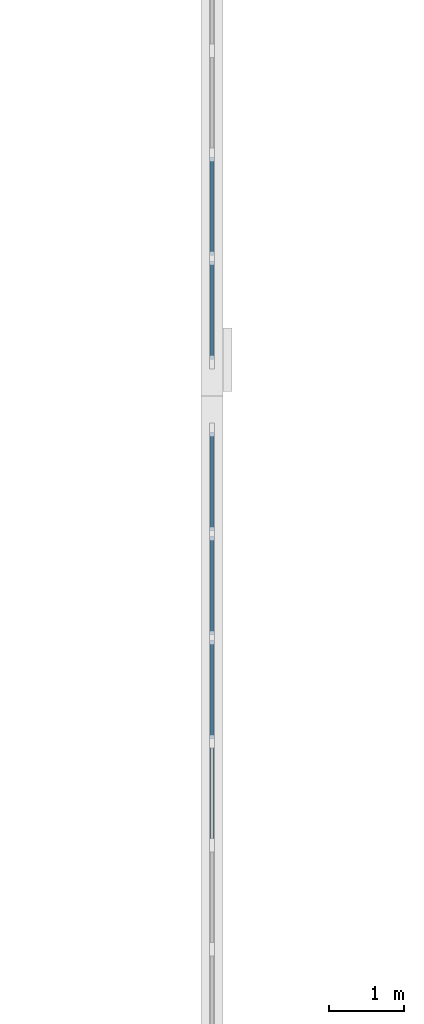
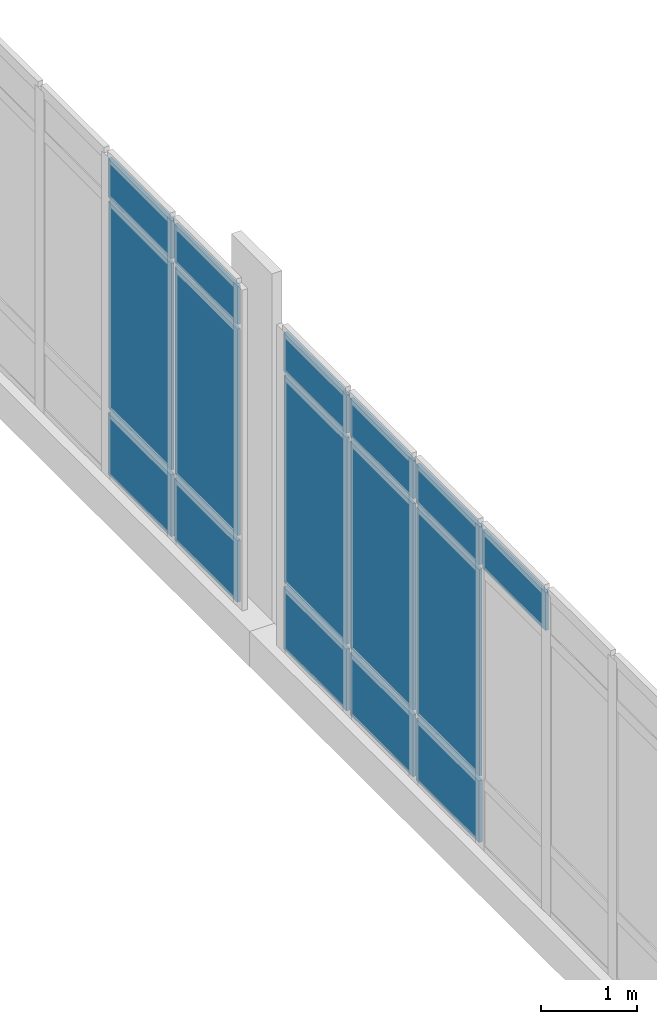
# One storey, part 68 of 110: 16 plates, 2 elements without a shape of their own.
"""IFC4 building model written with IfcOpenShell, lengths in metres."""

from ifc_helpers import new_model, si_unit, direction, frame, origin, origin_2d, place, context, subcontext, project, spatial, rectangle, extrude, material, layer, layer_set, type_object, element, aggregate, save


model = new_model("IFC4")

# Units and contexts
model_context = context("Model", 3, precision=1e-05, world=origin(), true_north=direction((0.0, 1.0)))
body_context = subcontext(model_context, "Body", "Model", "MODEL_VIEW")
ifc_project = project(units=[si_unit("LENGTHUNIT", "METRE"), si_unit("AREAUNIT", "SQUARE_METRE"), si_unit("VOLUMEUNIT", "CUBIC_METRE"), si_unit("PLANEANGLEUNIT", "RADIAN"), si_unit("MASSUNIT", "GRAM", prefix="KILO")], contexts=[model_context])

# Site, building, storey
site_placement = place(None, origin())
site = spatial("IfcSite", under=ifc_project, at=site_placement, CompositionType="ELEMENT")
building_placement = place(site_placement, origin())
building = spatial("IfcBuilding", under=site, at=building_placement, Name="Zacnel Wholesale Market", CompositionType="ELEMENT")
storey_placement = place(building_placement, frame((0.0, 0.0, 6.300048828125)))
storey = spatial("IfcBuildingStorey", under=building, at=storey_placement, Name="L02", CompositionType="ELEMENT", Elevation=6.300048828125)

# Curtain wall, plates
ifc_material_1 = material(Name="Anodised aluminium", Category="aluminium")
ifc_layer_1 = layer(ifc_material_1, 0.159912109375)
ifc_layer_set_1 = layer_set([ifc_layer_1], Name="Anodised aluminium")
curtain_wall_type = type_object("IfcCurtainWallType", Name="CW-NAVE-4200", PredefinedType="NOTDEFINED", material=ifc_layer_set_1)
curtain_wall_1_placement = place(storey_placement, origin())
curtain_wall_1 = element("IfcCurtainWall", 1, at=curtain_wall_1_placement, inside=storey, type_object=curtain_wall_type, Name="Curtain wall ENV-R2-CW-L02-033", PredefinedType="NOTDEFINED")
ifc_material_2 = material(Name="Laminated hurricane-impact low-E insulated glass", Category="glass")
ifc_layer_2 = layer(ifc_material_2, 0.031982421875)
ifc_layer_set_2 = layer_set([ifc_layer_2], Name="Laminated hurricane-impact low-E insulated glass")
plate_type_1 = type_object("IfcPlateType", Name="CWP-PNL-02", PredefinedType="CURTAIN_PANEL", material=ifc_layer_set_2)
plate_1_placement = place(storey_placement, frame((189.0, 116.081298828125, 1.330078125), z_axis=(0.0, 0.0, 1.0), x_axis=(0.0, 1.0, 0.0)))
plate_1 = element("IfcPlate", 2, at=plate_1_placement, type_object=plate_type_1, Name="ENV-R2-CW-L02-033 panel 6-2", PredefinedType="CURTAIN_PANEL", context=body_context, shape_type="SweptSolid", body=[
    extrude(rectangle(XDim=1.3173828125, YDim=0.031982421875, at=origin_2d()), origin(), (0.0, 0.0, 1.0), 2.639892578125),
])
plate_2_placement = place(storey_placement, frame((189.0, 117.46875, 1.330078125), z_axis=(0.0, 0.0, 1.0), x_axis=(0.0, 1.0, 0.0)))
plate_2 = element("IfcPlate", 3, at=plate_2_placement, type_object=plate_type_1, Name="ENV-R2-CW-L02-033 panel 7-2", PredefinedType="CURTAIN_PANEL", context=body_context, shape_type="SweptSolid", body=[
    extrude(rectangle(XDim=1.3173828125, YDim=0.031982421875, at=origin_2d()), origin(), (0.0, 0.0, 1.0), 2.639892578125),
])
plate_3_placement = place(storey_placement, frame((189.0, 118.856201171875, 1.330078125), z_axis=(0.0, 0.0, 1.0), x_axis=(0.0, 1.0, 0.0)))
plate_3 = element("IfcPlate", 4, at=plate_3_placement, type_object=plate_type_1, Name="ENV-R2-CW-L02-033 panel 8-2", PredefinedType="CURTAIN_PANEL", context=body_context, shape_type="SweptSolid", body=[
    extrude(rectangle(XDim=1.3173828125, YDim=0.031982421875, at=origin_2d()), origin(), (0.0, 0.0, 1.0), 2.639892578125),
])

curtain_wall_2_placement = place(storey_placement, origin())
curtain_wall_2 = element("IfcCurtainWall", 5, at=curtain_wall_2_placement, inside=storey, type_object=curtain_wall_type, Name="Curtain wall ENV-R2-CW-L02-034", PredefinedType="NOTDEFINED")
plate_4_placement = place(storey_placement, frame((189.0, 121.142578125, 1.330078125), z_axis=(0.0, 0.0, 1.0), x_axis=(0.0, 1.0, 0.0)))
plate_4 = element("IfcPlate", 6, at=plate_4_placement, type_object=plate_type_1, Name="ENV-R2-CW-L02-034 panel 1-2", PredefinedType="CURTAIN_PANEL", context=body_context, shape_type="SweptSolid", body=[
    extrude(rectangle(XDim=1.31494140625, YDim=0.031982421875, at=origin_2d()), origin(), (0.0, 0.0, 1.0), 2.639892578125),
])
plate_5_placement = place(storey_placement, frame((189.0, 122.527587890625, 1.330078125), z_axis=(0.0, 0.0, 1.0), x_axis=(0.0, 1.0, 0.0)))
plate_5 = element("IfcPlate", 7, at=plate_5_placement, type_object=plate_type_1, Name="ENV-R2-CW-L02-034 panel 2-2", PredefinedType="CURTAIN_PANEL", context=body_context, shape_type="SweptSolid", body=[
    extrude(rectangle(XDim=1.31494140625, YDim=0.031982421875, at=origin_2d()), origin(), (0.0, 0.0, 1.0), 2.639892578125),
])

# Plate
ifc_material_3 = material(Name="Anodised aluminium", Category="aluminium")
ifc_layer_3 = layer(ifc_material_3, 0.0400390625)
ifc_layer_set_3 = layer_set([ifc_layer_3], Name="Anodised aluminium")
plate_type_2 = type_object("IfcPlateType", Name="CWP-PNL-05", PredefinedType="CURTAIN_PANEL", material=ifc_layer_set_3)
plate_6_placement = place(storey_placement, frame((189.0, 114.693603515625, 4.02978515625), z_axis=(0.0, 0.0, 1.0), x_axis=(0.0, 1.0, 0.0)))
plate_6 = element("IfcPlate", 8, at=plate_6_placement, type_object=plate_type_2, Name="ENV-R2-CW-L02-033 panel 5-3", PredefinedType="CURTAIN_PANEL", context=body_context, shape_type="SweptSolid", body=[
    extrude(rectangle(XDim=1.3173828125, YDim=0.0400390625, at=origin_2d()), origin(), (0.0, 0.0, 1.0), 0.489990234375),
])

plate_7_placement = place(storey_placement, frame((189.0, 117.46875, 0.47998046875), z_axis=(0.0, 0.0, 1.0), x_axis=(0.0, 1.0, 0.0)))
plate_7 = element("IfcPlate", 9, at=plate_7_placement, type_object=plate_type_2, Name="ENV-R2-CW-L02-033 panel 7-1", PredefinedType="CURTAIN_PANEL", context=body_context, shape_type="SweptSolid", body=[
    extrude(rectangle(XDim=1.3173828125, YDim=0.0400390625, at=origin_2d()), origin(), (0.0, 0.0, 1.0), 0.7900390625),
])

plate_8_placement = place(storey_placement, frame((189.0, 117.46875, 4.02978515625), z_axis=(0.0, 0.0, 1.0), x_axis=(0.0, 1.0, 0.0)))
plate_8 = element("IfcPlate", 10, at=plate_8_placement, type_object=plate_type_2, Name="ENV-R2-CW-L02-033 panel 7-3", PredefinedType="CURTAIN_PANEL", context=body_context, shape_type="SweptSolid", body=[
    extrude(rectangle(XDim=1.3173828125, YDim=0.0400390625, at=origin_2d()), origin(), (0.0, 0.0, 1.0), 0.489990234375),
])

plate_9_placement = place(storey_placement, frame((189.0, 121.142578125, 0.47998046875), z_axis=(0.0, 0.0, 1.0), x_axis=(0.0, 1.0, 0.0)))
plate_9 = element("IfcPlate", 11, at=plate_9_placement, type_object=plate_type_2, Name="ENV-R2-CW-L02-034 panel 1-1", PredefinedType="CURTAIN_PANEL", context=body_context, shape_type="SweptSolid", body=[
    extrude(rectangle(XDim=1.31494140625, YDim=0.0400390625, at=origin_2d()), origin(), (0.0, 0.0, 1.0), 0.7900390625),
])

plate_10_placement = place(storey_placement, frame((189.0, 121.142578125, 4.02978515625), z_axis=(0.0, 0.0, 1.0), x_axis=(0.0, 1.0, 0.0)))
plate_10 = element("IfcPlate", 12, at=plate_10_placement, type_object=plate_type_2, Name="ENV-R2-CW-L02-034 panel 1-3", PredefinedType="CURTAIN_PANEL", context=body_context, shape_type="SweptSolid", body=[
    extrude(rectangle(XDim=1.31494140625, YDim=0.0400390625, at=origin_2d()), origin(), (0.0, 0.0, 1.0), 0.489990234375),
])

ifc_material_4 = material(Name="Honed Yucatan Maya cream limestone", Category="masonry")
ifc_layer_4 = layer(ifc_material_4, 0.044921875)
ifc_layer_set_4 = layer_set([ifc_layer_4], Name="Honed Yucatan Maya cream limestone")
plate_type_3 = type_object("IfcPlateType", Name="CWP-PNL-06", PredefinedType="CURTAIN_PANEL", material=ifc_layer_set_4)
plate_11_placement = place(storey_placement, frame((189.0, 116.081298828125, 0.47998046875), z_axis=(0.0, 0.0, 1.0), x_axis=(0.0, 1.0, 0.0)))
plate_11 = element("IfcPlate", 13, at=plate_11_placement, type_object=plate_type_3, Name="ENV-R2-CW-L02-033 panel 6-1", PredefinedType="CURTAIN_PANEL", context=body_context, shape_type="SweptSolid", body=[
    extrude(rectangle(XDim=1.3173828125, YDim=0.044921875, at=origin_2d()), origin(), (0.0, 0.0, 1.0), 0.7900390625),
])

plate_12_placement = place(storey_placement, frame((189.0, 116.081298828125, 4.02978515625), z_axis=(0.0, 0.0, 1.0), x_axis=(0.0, 1.0, 0.0)))
plate_12 = element("IfcPlate", 14, at=plate_12_placement, type_object=plate_type_3, Name="ENV-R2-CW-L02-033 panel 6-3", PredefinedType="CURTAIN_PANEL", context=body_context, shape_type="SweptSolid", body=[
    extrude(rectangle(XDim=1.3173828125, YDim=0.044921875, at=origin_2d()), origin(), (0.0, 0.0, 1.0), 0.489990234375),
])

plate_13_placement = place(storey_placement, frame((189.0, 118.856201171875, 0.47998046875), z_axis=(0.0, 0.0, 1.0), x_axis=(0.0, 1.0, 0.0)))
plate_13 = element("IfcPlate", 15, at=plate_13_placement, type_object=plate_type_3, Name="ENV-R2-CW-L02-033 panel 8-1", PredefinedType="CURTAIN_PANEL", context=body_context, shape_type="SweptSolid", body=[
    extrude(rectangle(XDim=1.3173828125, YDim=0.044921875, at=origin_2d()), origin(), (0.0, 0.0, 1.0), 0.7900390625),
])

plate_14_placement = place(storey_placement, frame((189.0, 118.856201171875, 4.02978515625), z_axis=(0.0, 0.0, 1.0), x_axis=(0.0, 1.0, 0.0)))
plate_14 = element("IfcPlate", 16, at=plate_14_placement, type_object=plate_type_3, Name="ENV-R2-CW-L02-033 panel 8-3", PredefinedType="CURTAIN_PANEL", context=body_context, shape_type="SweptSolid", body=[
    extrude(rectangle(XDim=1.3173828125, YDim=0.044921875, at=origin_2d()), origin(), (0.0, 0.0, 1.0), 0.489990234375),
])

aggregate(curtain_wall_1, [plate_6, plate_11, plate_1, plate_12, plate_7, plate_2, plate_8, plate_13, plate_3, plate_14])

plate_15_placement = place(storey_placement, frame((189.0, 122.527587890625, 0.47998046875), z_axis=(0.0, 0.0, 1.0), x_axis=(0.0, 1.0, 0.0)))
plate_15 = element("IfcPlate", 17, at=plate_15_placement, type_object=plate_type_3, Name="ENV-R2-CW-L02-034 panel 2-1", PredefinedType="CURTAIN_PANEL", context=body_context, shape_type="SweptSolid", body=[
    extrude(rectangle(XDim=1.31494140625, YDim=0.044921875, at=origin_2d()), origin(), (0.0, 0.0, 1.0), 0.7900390625),
])

plate_16_placement = place(storey_placement, frame((189.0, 122.527587890625, 4.02978515625), z_axis=(0.0, 0.0, 1.0), x_axis=(0.0, 1.0, 0.0)))
plate_16 = element("IfcPlate", 18, at=plate_16_placement, type_object=plate_type_3, Name="ENV-R2-CW-L02-034 panel 2-3", PredefinedType="CURTAIN_PANEL", context=body_context, shape_type="SweptSolid", body=[
    extrude(rectangle(XDim=1.31494140625, YDim=0.044921875, at=origin_2d()), origin(), (0.0, 0.0, 1.0), 0.489990234375),
])

aggregate(curtain_wall_2, [plate_9, plate_4, plate_10, plate_15, plate_5, plate_16])

save(model, "model.ifc")
